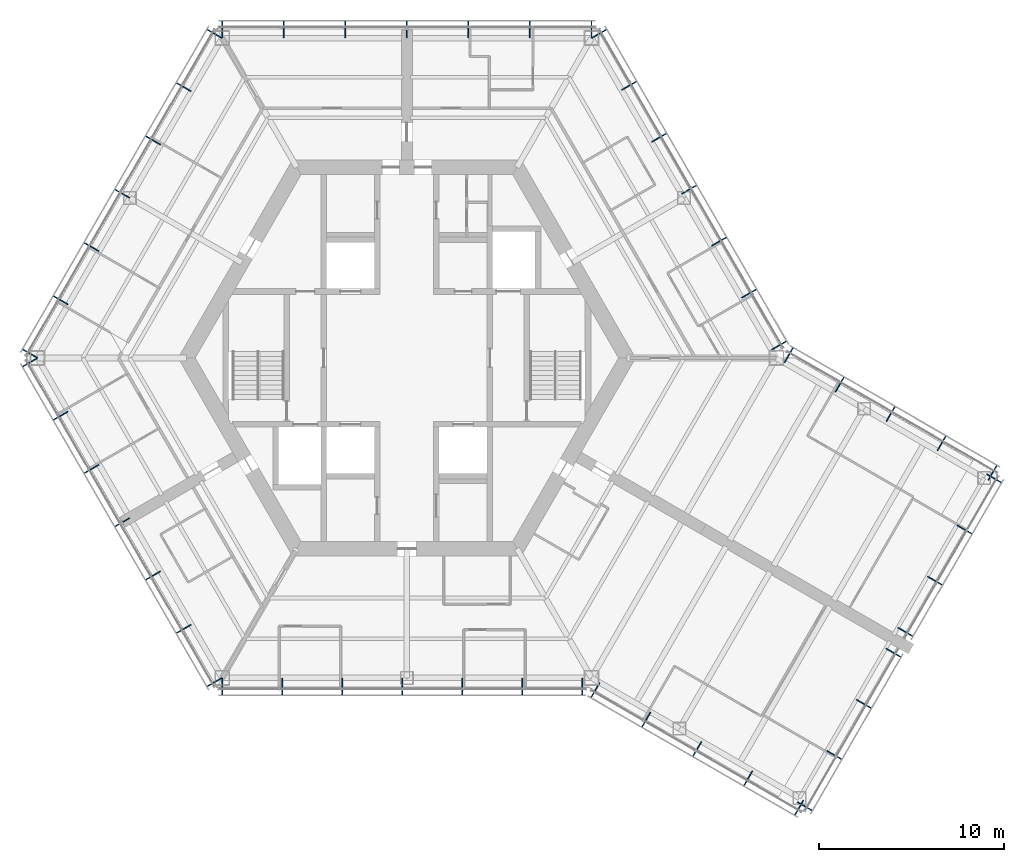
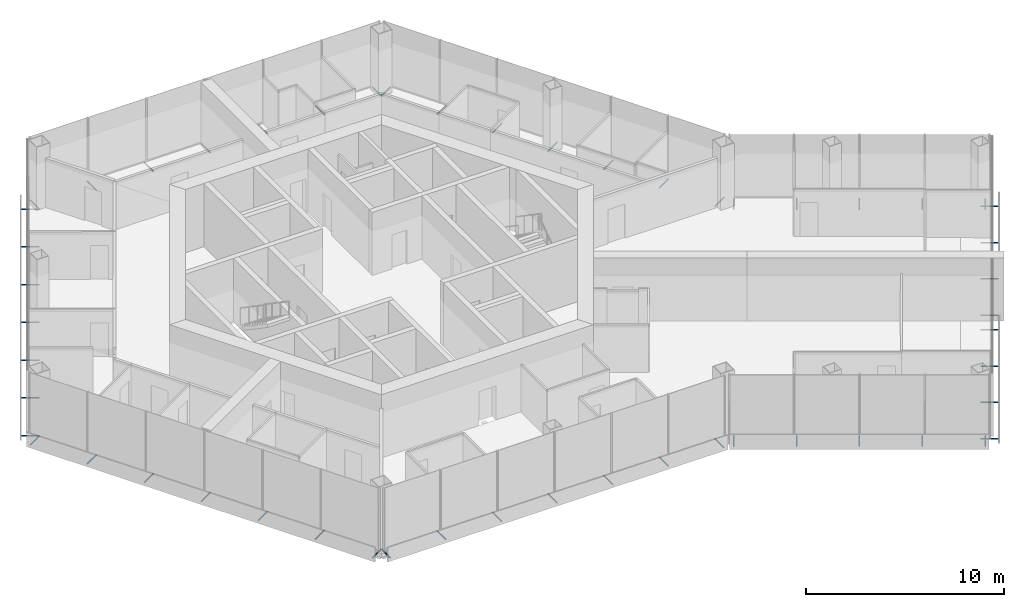
# One storey, part 15 of 17: 53 discrete accessories.
"""IFC4 building model written with IfcOpenShell, lengths in metres."""

from ifc_helpers import new_model, si_unit, direction, frame, origin, origin_2d, place, context, subcontext, project, spatial, hollow_circle, extrude, material, material_profile, profile_set, type_object, element, save


model = new_model("IFC4")

# Units and contexts
model_context = context("Model", 3, precision=1e-05, world=origin(), true_north=direction((0.0, 1.0)))
body_context = subcontext(model_context, "Body", "Model", "MODEL_VIEW")
ifc_project = project(units=[si_unit("LENGTHUNIT", "METRE"), si_unit("AREAUNIT", "SQUARE_METRE"), si_unit("VOLUMEUNIT", "CUBIC_METRE"), si_unit("PLANEANGLEUNIT", "RADIAN"), si_unit("MASSUNIT", "GRAM", prefix="KILO")], contexts=[model_context])

# Site, building, storey
site_placement = place(None, origin())
site = spatial("IfcSite", under=ifc_project, at=site_placement, CompositionType="ELEMENT")
building_placement = place(site_placement, origin())
building = spatial("IfcBuilding", under=site, at=building_placement, Name="Kasaneha Research Tower", CompositionType="ELEMENT")
storey_placement = place(building_placement, frame((0.0, 0.0, 232.300048828125)))
storey = spatial("IfcBuildingStorey", under=building, at=storey_placement, Name="L58", CompositionType="ELEMENT", Elevation=232.300048828125)

# Discrete accessories
ifc_material = material(Name="Steel STK400", Category="steel")
ifc_material_profile = material_profile(ifc_material, hollow_circle(Radius=0.0380859375, WallThickness=0.00390625, at=origin_2d()), Name="CHS-76.3x4.0")
ifc_profile_set = profile_set([ifc_material_profile], Name="Steel STK400")
discrete_accessory_type = type_object("IfcDiscreteAccessoryType", Name="Screen bracket CHS-76.3x4.0", PredefinedType="BRACKET", material=ifc_profile_set)
for number, where, z_axis, x_axis, name in (
    (1, (19.74462890625, 0.4423828125, -0.300048828125), (0.866013213425, 0.500021113727, 0.0), (-0.500021113727, 0.866013213425, 0.0), "Screen bracket 1"),
    (2, (18.120849609375, 3.2548828125, -0.300048828125), (0.866013213425, 0.500021113727, 0.0), (-0.500021113727, 0.866013213425, 0.0), "Screen bracket 2"),
    (3, (16.4970703125, 6.0673828125, -0.300048828125), (0.866013213425, 0.500021113727, 0.0), (-0.500021113727, 0.866013213425, 0.0), "Screen bracket 3"),
    (4, (14.873291015625, 8.8798828125, -0.300048828125), (0.866013213425, 0.500021113727, 0.0), (-0.500021113727, 0.866013213425, 0.0), "Screen bracket 4"),
    (5, (13.24951171875, 11.6923828125, -0.300048828125), (0.866013213425, 0.500021113727, 0.0), (-0.500021113727, 0.866013213425, 0.0), "Screen bracket 5"),
):
    element("IfcDiscreteAccessory", number, at=place(storey_placement, frame(where, z_axis=z_axis, x_axis=x_axis)), inside=storey, type_object=discrete_accessory_type, Name=name, PredefinedType="BRACKET", context=body_context, shape_type="SweptSolid", body=[
        extrude(hollow_circle(Radius=0.0380859375, WallThickness=0.00390625, at=origin_2d()), origin(), (0.0, 0.0, 1.0), 0.919921875),
    ])
for number, where, z_axis, x_axis, name in (
    (6, (11.62548828125, 14.5048828125, -0.300048828125), (0.866079547155, 0.499906209203, 0.0), (-0.499906209203, 0.866079547155, 0.0), "Screen bracket 6"),
    (7, (10.001708984375, 17.3173828125, -0.300048828125), (0.866079547155, 0.499906209203, 0.0), (-0.499906209203, 0.866079547155, 0.0), "Screen bracket 7"),
):
    element("IfcDiscreteAccessory", number, at=place(storey_placement, frame(where, z_axis=z_axis, x_axis=x_axis)), inside=storey, type_object=discrete_accessory_type, Name=name, PredefinedType="BRACKET", context=body_context, shape_type="SweptSolid", body=[
        extrude(hollow_circle(Radius=0.0380859375, WallThickness=0.00390625, at=origin_2d()), origin(), (0.0, 0.0, 1.0), 0.920166015625),
    ])
for number, where, z_axis, x_axis, name in (
    (8, (9.996337890625, 17.320556640625, -0.300048828125), (0.0, 1.0, 0.0), (-1.0, 0.0, 0.0), "Screen bracket 1"),
    (9, (6.664306640625, 17.320556640625, -0.300048828125), (0.0, 1.0, 0.0), (-1.0, 0.0, 0.0), "Screen bracket 2"),
    (10, (3.33203125, 17.320556640625, -0.300048828125), (0.0, 1.0, 0.0), (-1.0, 0.0, 0.0), "Screen bracket 3"),
    (11, (0.0, 17.320556640625, -0.300048828125), (0.0, 1.0, 0.0), (-1.0, 0.0, 0.0), "Screen bracket 4"),
    (12, (-3.33203125, 17.320556640625, -0.300048828125), (0.0, 1.0, 0.0), (-1.0, 0.0, 0.0), "Screen bracket 5"),
    (13, (-6.664306640625, 17.320556640625, -0.300048828125), (0.0, 1.0, 0.0), (-1.0, 0.0, 0.0), "Screen bracket 6"),
    (14, (-9.996337890625, 17.320556640625, -0.300048828125), (0.0, 1.0, 0.0), (-1.0, 0.0, 0.0), "Screen bracket 7"),
):
    element("IfcDiscreteAccessory", number, at=place(storey_placement, frame(where, z_axis=z_axis, x_axis=x_axis)), inside=storey, type_object=discrete_accessory_type, Name=name, PredefinedType="BRACKET", context=body_context, shape_type="SweptSolid", body=[
        extrude(hollow_circle(Radius=0.0380859375, WallThickness=0.00390625, at=origin_2d()), origin(), (0.0, 0.0, 1.0), 0.919921875),
    ])
discrete_accessory_1_placement = place(storey_placement, frame((-10.001708984375, 17.3173828125, -0.300048828125), z_axis=(-0.866079547155, 0.499906209203, 0.0), x_axis=(-0.499906209203, -0.866079547155, 0.0)))
element("IfcDiscreteAccessory", 15, at=discrete_accessory_1_placement, inside=storey, type_object=discrete_accessory_type, Name="Screen bracket 1", PredefinedType="BRACKET", context=body_context, shape_type="SweptSolid", body=[
    extrude(hollow_circle(Radius=0.0380859375, WallThickness=0.00390625, at=origin_2d()), origin(), (0.0, 0.0, 1.0), 0.920166015625),
])
for number, where, z_axis, x_axis, name in (
    (16, (-11.66796875, 14.431640625, -0.300048828125), (-0.866013213425, 0.500021113727, 0.0), (-0.500021113727, -0.866013213425, 0.0), "Screen bracket 2"),
    (17, (-13.333984375, 11.5458984375, -0.300048828125), (-0.866013213425, 0.500021113727, 0.0), (-0.500021113727, -0.866013213425, 0.0), "Screen bracket 3"),
    (18, (-15.0, 8.66015625, -0.300048828125), (-0.865898279276, 0.500220121494, 0.0), (-0.500220121494, -0.865898279276, 0.0), "Screen bracket 4"),
):
    element("IfcDiscreteAccessory", number, at=place(storey_placement, frame(where, z_axis=z_axis, x_axis=x_axis)), inside=storey, type_object=discrete_accessory_type, Name=name, PredefinedType="BRACKET", context=body_context, shape_type="SweptSolid", body=[
        extrude(hollow_circle(Radius=0.0380859375, WallThickness=0.00390625, at=origin_2d()), origin(), (0.0, 0.0, 1.0), 0.919921875),
    ])
for number, where, z_axis, x_axis, name in (
    (19, (-16.666015625, 5.774658203125, -0.300048828125), (-0.866079547155, 0.499906209203, 0.0), (-0.499906209203, -0.866079547155, 0.0), "Screen bracket 5"),
    (20, (-18.33203125, 2.888916015625, -0.300048828125), (-0.866079547155, 0.499906209203, 0.0), (-0.499906209203, -0.866079547155, 0.0), "Screen bracket 6"),
):
    element("IfcDiscreteAccessory", number, at=place(storey_placement, frame(where, z_axis=z_axis, x_axis=x_axis)), inside=storey, type_object=discrete_accessory_type, Name=name, PredefinedType="BRACKET", context=body_context, shape_type="SweptSolid", body=[
        extrude(hollow_circle(Radius=0.0380859375, WallThickness=0.00390625, at=origin_2d()), origin(), (0.0, 0.0, 1.0), 0.920166015625),
    ])
for number, where, z_axis, x_axis, name in (
    (21, (-19.998291015625, 0.003173828125, -0.300048828125), (-0.866013213425, 0.500021113727, 0.0), (-0.500021113727, -0.866013213425, 0.0), "Screen bracket 7"),
    (22, (-19.998291015625, -0.003173828125, -0.300048828125), (-0.866013213425, -0.500021113727, 0.0), (0.500021113727, -0.866013213425, 0.0), "Screen bracket 1"),
):
    element("IfcDiscreteAccessory", number, at=place(storey_placement, frame(where, z_axis=z_axis, x_axis=x_axis)), inside=storey, type_object=discrete_accessory_type, Name=name, PredefinedType="BRACKET", context=body_context, shape_type="SweptSolid", body=[
        extrude(hollow_circle(Radius=0.0380859375, WallThickness=0.00390625, at=origin_2d()), origin(), (0.0, 0.0, 1.0), 0.919921875),
    ])
for number, where, z_axis, x_axis, name in (
    (23, (-18.33203125, -2.888916015625, -0.300048828125), (-0.866079547155, -0.499906209203, 0.0), (0.499906209203, -0.866079547155, 0.0), "Screen bracket 2"),
    (24, (-16.666015625, -5.774658203125, -0.300048828125), (-0.866079547155, -0.499906209203, 0.0), (0.499906209203, -0.866079547155, 0.0), "Screen bracket 3"),
):
    element("IfcDiscreteAccessory", number, at=place(storey_placement, frame(where, z_axis=z_axis, x_axis=x_axis)), inside=storey, type_object=discrete_accessory_type, Name=name, PredefinedType="BRACKET", context=body_context, shape_type="SweptSolid", body=[
        extrude(hollow_circle(Radius=0.0380859375, WallThickness=0.00390625, at=origin_2d()), origin(), (0.0, 0.0, 1.0), 0.920166015625),
    ])
for number, where, z_axis, x_axis, name in (
    (25, (-15.0, -8.66015625, -0.300048828125), (-0.865898279276, -0.500220121494, 0.0), (0.500220121494, -0.865898279276, 0.0), "Screen bracket 4"),
    (26, (-13.333984375, -11.5458984375, -0.300048828125), (-0.866013213425, -0.500021113727, 0.0), (0.500021113727, -0.866013213425, 0.0), "Screen bracket 5"),
    (27, (-11.66796875, -14.431640625, -0.300048828125), (-0.866013213425, -0.500021113727, 0.0), (0.500021113727, -0.866013213425, 0.0), "Screen bracket 6"),
):
    element("IfcDiscreteAccessory", number, at=place(storey_placement, frame(where, z_axis=z_axis, x_axis=x_axis)), inside=storey, type_object=discrete_accessory_type, Name=name, PredefinedType="BRACKET", context=body_context, shape_type="SweptSolid", body=[
        extrude(hollow_circle(Radius=0.0380859375, WallThickness=0.00390625, at=origin_2d()), origin(), (0.0, 0.0, 1.0), 0.919921875),
    ])
discrete_accessory_2_placement = place(storey_placement, frame((-10.001708984375, -17.3173828125, -0.300048828125), z_axis=(-0.866079547155, -0.499906209203, 0.0), x_axis=(0.499906209203, -0.866079547155, 0.0)))
element("IfcDiscreteAccessory", 28, at=discrete_accessory_2_placement, inside=storey, type_object=discrete_accessory_type, Name="Screen bracket 7", PredefinedType="BRACKET", context=body_context, shape_type="SweptSolid", body=[
    extrude(hollow_circle(Radius=0.0380859375, WallThickness=0.00390625, at=origin_2d()), origin(), (0.0, 0.0, 1.0), 0.920166015625),
])
for number, where, z_axis, x_axis, name in (
    (29, (-9.996337890625, -17.320556640625, -0.300048828125), (0.0, -1.0, 0.0), (1.0, 0.0, 0.0), "Screen bracket 1"),
    (30, (-6.748779296875, -17.320556640625, -0.300048828125), (0.0, -1.0, 0.0), (1.0, 0.0, 0.0), "Screen bracket 2"),
    (31, (-3.501220703125, -17.320556640625, -0.300048828125), (0.0, -1.0, 0.0), (1.0, 0.0, 0.0), "Screen bracket 3"),
    (32, (-0.253662109375, -17.320556640625, -0.300048828125), (0.0, -1.0, 0.0), (1.0, 0.0, 0.0), "Screen bracket 4"),
    (33, (2.993896484375, -17.320556640625, -0.300048828125), (0.0, -1.0, 0.0), (1.0, 0.0, 0.0), "Screen bracket 5"),
    (34, (6.24169921875, -17.320556640625, -0.300048828125), (0.0, -1.0, 0.0), (1.0, 0.0, 0.0), "Screen bracket 6"),
    (35, (9.4892578125, -17.320556640625, -0.300048828125), (0.0, -1.0, 0.0), (1.0, 0.0, 0.0), "Screen bracket 7"),
    (36, (10.4423828125, -17.575927734375, -0.300048828125), (-0.500021113727, -0.866013213425, 0.0), (0.866013213425, -0.500021113727, 0.0), "Screen bracket 1"),
):
    element("IfcDiscreteAccessory", number, at=place(storey_placement, frame(where, z_axis=z_axis, x_axis=x_axis)), inside=storey, type_object=discrete_accessory_type, Name=name, PredefinedType="BRACKET", context=body_context, shape_type="SweptSolid", body=[
        extrude(hollow_circle(Radius=0.0380859375, WallThickness=0.00390625, at=origin_2d()), origin(), (0.0, 0.0, 1.0), 0.919921875),
    ])
discrete_accessory_3_placement = place(storey_placement, frame((13.200439453125, -19.168212890625, -0.300048828125), z_axis=(-0.499906209203, -0.866079547155, 0.0), x_axis=(0.866079547155, -0.499906209203, 0.0)))
element("IfcDiscreteAccessory", 37, at=discrete_accessory_3_placement, inside=storey, type_object=discrete_accessory_type, Name="Screen bracket 2", PredefinedType="BRACKET", context=body_context, shape_type="SweptSolid", body=[
    extrude(hollow_circle(Radius=0.0380859375, WallThickness=0.00390625, at=origin_2d()), origin(), (0.0, 0.0, 1.0), 0.920166015625),
])
discrete_accessory_4_placement = place(storey_placement, frame((15.95849609375, -20.7607421875, -0.300048828125), z_axis=(-0.500021113727, -0.866013213425, 0.0), x_axis=(0.866013213425, -0.500021113727, 0.0)))
element("IfcDiscreteAccessory", 38, at=discrete_accessory_4_placement, inside=storey, type_object=discrete_accessory_type, Name="Screen bracket 3", PredefinedType="BRACKET", context=body_context, shape_type="SweptSolid", body=[
    extrude(hollow_circle(Radius=0.0380859375, WallThickness=0.00390625, at=origin_2d()), origin(), (0.0, 0.0, 1.0), 0.919921875),
])
discrete_accessory_5_placement = place(storey_placement, frame((18.716796875, -22.35302734375, -0.300048828125), z_axis=(-0.500105201737, -0.865964657013, 0.0), x_axis=(0.865964657013, -0.500105201737, 0.0)))
element("IfcDiscreteAccessory", 39, at=discrete_accessory_5_placement, inside=storey, type_object=discrete_accessory_type, Name="Screen bracket 4", PredefinedType="BRACKET", context=body_context, shape_type="SweptSolid", body=[
    extrude(hollow_circle(Radius=0.0380859375, WallThickness=0.00390625, at=origin_2d()), origin(), (0.0, 0.0, 1.0), 0.920166015625),
])
discrete_accessory_6_placement = place(storey_placement, frame((21.474853515625, -23.945556640625, -0.300048828125), z_axis=(-0.500021113727, -0.866013213425, 0.0), x_axis=(0.866013213425, -0.500021113727, 0.0)))
element("IfcDiscreteAccessory", 40, at=discrete_accessory_6_placement, inside=storey, type_object=discrete_accessory_type, Name="Screen bracket 5", PredefinedType="BRACKET", context=body_context, shape_type="SweptSolid", body=[
    extrude(hollow_circle(Radius=0.0380859375, WallThickness=0.00390625, at=origin_2d()), origin(), (0.0, 0.0, 1.0), 0.919921875),
])
discrete_accessory_7_placement = place(storey_placement, frame((21.13330078125, -24.037109375, -0.300048828125), z_axis=(0.866079547155, -0.499906209203, 0.0), x_axis=(0.499906209203, 0.866079547155, 0.0)))
element("IfcDiscreteAccessory", 41, at=discrete_accessory_7_placement, inside=storey, type_object=discrete_accessory_type, Name="Screen bracket 1", PredefinedType="BRACKET", context=body_context, shape_type="SweptSolid", body=[
    extrude(hollow_circle(Radius=0.0380859375, WallThickness=0.00390625, at=origin_2d()), origin(), (0.0, 0.0, 1.0), 0.920166015625),
])
discrete_accessory_8_placement = place(storey_placement, frame((22.7333984375, -21.265625, -0.300048828125), z_axis=(0.865898279276, -0.500220121494, 0.0), x_axis=(0.500220121494, 0.865898279276, 0.0)))
element("IfcDiscreteAccessory", 42, at=discrete_accessory_8_placement, inside=storey, type_object=discrete_accessory_type, Name="Screen bracket 2", PredefinedType="BRACKET", context=body_context, shape_type="SweptSolid", body=[
    extrude(hollow_circle(Radius=0.0380859375, WallThickness=0.00390625, at=origin_2d()), origin(), (0.0, 0.0, 1.0), 0.919921875),
])
discrete_accessory_9_placement = place(storey_placement, frame((24.333251953125, -18.494384765625, -0.300048828125), z_axis=(0.866079547155, -0.499906209203, 0.0), x_axis=(0.499906209203, 0.866079547155, 0.0)))
element("IfcDiscreteAccessory", 43, at=discrete_accessory_9_placement, inside=storey, type_object=discrete_accessory_type, Name="Screen bracket 3", PredefinedType="BRACKET", context=body_context, shape_type="SweptSolid", body=[
    extrude(hollow_circle(Radius=0.0380859375, WallThickness=0.00390625, at=origin_2d()), origin(), (0.0, 0.0, 1.0), 0.920166015625),
])
discrete_accessory_10_placement = place(storey_placement, frame((25.933349609375, -15.72314453125, -0.300048828125), z_axis=(0.866013213425, -0.500021113727, 0.0), x_axis=(0.500021113727, 0.866013213425, 0.0)))
element("IfcDiscreteAccessory", 44, at=discrete_accessory_10_placement, inside=storey, type_object=discrete_accessory_type, Name="Screen bracket 4", PredefinedType="BRACKET", context=body_context, shape_type="SweptSolid", body=[
    extrude(hollow_circle(Radius=0.0380859375, WallThickness=0.00390625, at=origin_2d()), origin(), (0.0, 0.0, 1.0), 0.919921875),
])
discrete_accessory_11_placement = place(storey_placement, frame((26.583251953125, -14.597412109375, -0.300048828125), z_axis=(0.866079547155, -0.499906209203, 0.0), x_axis=(0.499906209203, 0.866079547155, 0.0)))
element("IfcDiscreteAccessory", 45, at=discrete_accessory_11_placement, inside=storey, type_object=discrete_accessory_type, Name="Screen bracket 1", PredefinedType="BRACKET", context=body_context, shape_type="SweptSolid", body=[
    extrude(hollow_circle(Radius=0.0380859375, WallThickness=0.00390625, at=origin_2d()), origin(), (0.0, 0.0, 1.0), 0.920166015625),
])
for number, where, z_axis, x_axis, name in (
    (46, (28.183349609375, -11.826171875, -0.300048828125), (0.866013213425, -0.500021113727, 0.0), (0.500021113727, 0.866013213425, 0.0), "Screen bracket 2"),
    (47, (29.783447265625, -9.0546875, -0.300048828125), (0.865898279276, -0.500220121494, 0.0), (0.500220121494, 0.865898279276, 0.0), "Screen bracket 3"),
):
    element("IfcDiscreteAccessory", number, at=place(storey_placement, frame(where, z_axis=z_axis, x_axis=x_axis)), inside=storey, type_object=discrete_accessory_type, Name=name, PredefinedType="BRACKET", context=body_context, shape_type="SweptSolid", body=[
        extrude(hollow_circle(Radius=0.0380859375, WallThickness=0.00390625, at=origin_2d()), origin(), (0.0, 0.0, 1.0), 0.919921875),
    ])
discrete_accessory_12_placement = place(storey_placement, frame((31.38330078125, -6.283447265625, -0.300048828125), z_axis=(0.866079547155, -0.499906209203, 0.0), x_axis=(0.499906209203, 0.866079547155, 0.0)))
element("IfcDiscreteAccessory", 48, at=discrete_accessory_12_placement, inside=storey, type_object=discrete_accessory_type, Name="Screen bracket 4", PredefinedType="BRACKET", context=body_context, shape_type="SweptSolid", body=[
    extrude(hollow_circle(Radius=0.0380859375, WallThickness=0.00390625, at=origin_2d()), origin(), (0.0, 0.0, 1.0), 0.920166015625),
])
discrete_accessory_13_placement = place(storey_placement, frame((31.474853515625, -6.625, -0.300048828125), z_axis=(0.500021113727, 0.866013213425, 0.0), x_axis=(-0.866013213425, 0.500021113727, 0.0)))
element("IfcDiscreteAccessory", 49, at=discrete_accessory_13_placement, inside=storey, type_object=discrete_accessory_type, Name="Screen bracket 1", PredefinedType="BRACKET", context=body_context, shape_type="SweptSolid", body=[
    extrude(hollow_circle(Radius=0.0380859375, WallThickness=0.00390625, at=origin_2d()), origin(), (0.0, 0.0, 1.0), 0.919921875),
])
discrete_accessory_14_placement = place(storey_placement, frame((28.716796875, -5.03271484375, -0.300048828125), z_axis=(0.499906209203, 0.866079547155, 0.0), x_axis=(-0.866079547155, 0.499906209203, 0.0)))
element("IfcDiscreteAccessory", 50, at=discrete_accessory_14_placement, inside=storey, type_object=discrete_accessory_type, Name="Screen bracket 2", PredefinedType="BRACKET", context=body_context, shape_type="SweptSolid", body=[
    extrude(hollow_circle(Radius=0.0380859375, WallThickness=0.00390625, at=origin_2d()), origin(), (0.0, 0.0, 1.0), 0.920166015625),
])
discrete_accessory_15_placement = place(storey_placement, frame((25.95849609375, -3.440185546875, -0.300048828125), z_axis=(0.500220121494, 0.865898279276, 0.0), x_axis=(-0.865898279276, 0.500220121494, 0.0)))
element("IfcDiscreteAccessory", 51, at=discrete_accessory_15_placement, inside=storey, type_object=discrete_accessory_type, Name="Screen bracket 3", PredefinedType="BRACKET", context=body_context, shape_type="SweptSolid", body=[
    extrude(hollow_circle(Radius=0.0380859375, WallThickness=0.00390625, at=origin_2d()), origin(), (0.0, 0.0, 1.0), 0.919921875),
])
discrete_accessory_16_placement = place(storey_placement, frame((23.200439453125, -1.847900390625, -0.300048828125), z_axis=(0.499906209203, 0.866079547155, 0.0), x_axis=(-0.866079547155, 0.499906209203, 0.0)))
element("IfcDiscreteAccessory", 52, at=discrete_accessory_16_placement, inside=storey, type_object=discrete_accessory_type, Name="Screen bracket 4", PredefinedType="BRACKET", context=body_context, shape_type="SweptSolid", body=[
    extrude(hollow_circle(Radius=0.0380859375, WallThickness=0.00390625, at=origin_2d()), origin(), (0.0, 0.0, 1.0), 0.920166015625),
])
discrete_accessory_17_placement = place(storey_placement, frame((20.4423828125, -0.25537109375, -0.300048828125), z_axis=(0.500021113727, 0.866013213425, 0.0), x_axis=(-0.866013213425, 0.500021113727, 0.0)))
element("IfcDiscreteAccessory", 53, at=discrete_accessory_17_placement, inside=storey, type_object=discrete_accessory_type, Name="Screen bracket 5", PredefinedType="BRACKET", context=body_context, shape_type="SweptSolid", body=[
    extrude(hollow_circle(Radius=0.0380859375, WallThickness=0.00390625, at=origin_2d()), origin(), (0.0, 0.0, 1.0), 0.919921875),
])

save(model, "model.ifc")
